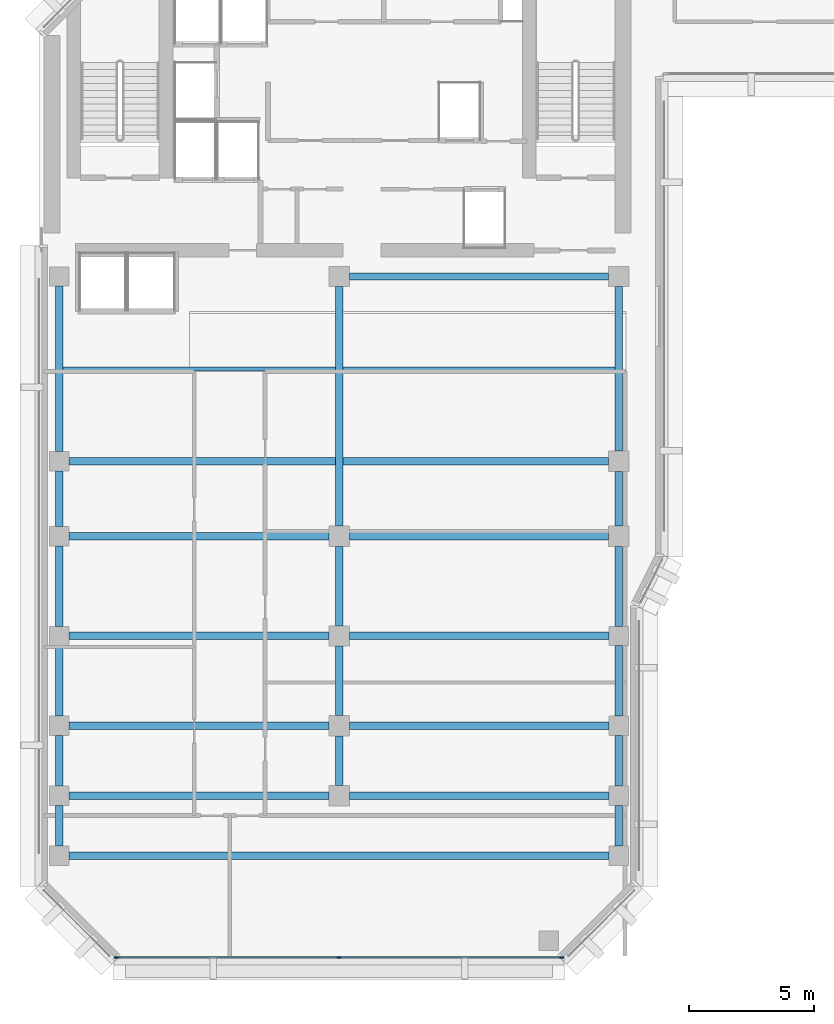
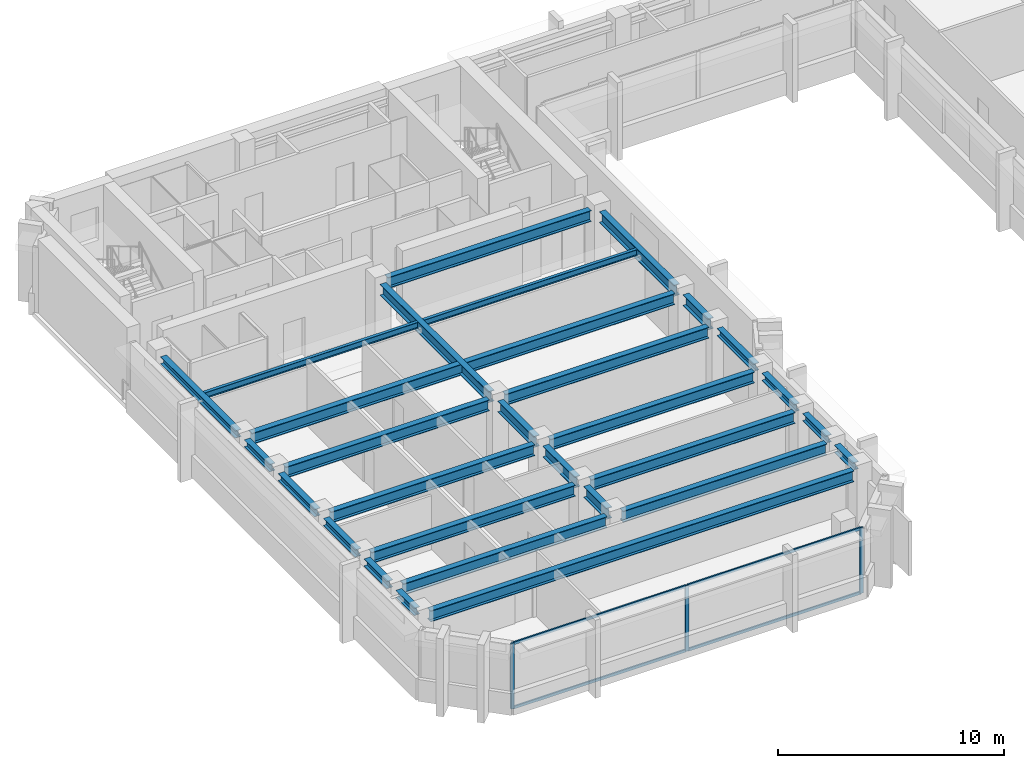
# One storey, part 2 of 11: 29 beams, 7 members, 1 element without a shape of its own.
"""IFC4 building model written with IfcOpenShell, lengths in metres."""

from ifc_helpers import new_model, si_unit, direction, frame, origin, origin_2d, place, context, subcontext, project, spatial, rectangle, i_section, extrude, material, layer, layer_set, material_profile, profile_set, type_object, element, aggregate, save


model = new_model("IFC4")

# Units and contexts
model_context = context("Model", 3, precision=1e-05, world=origin(), true_north=direction((0.0, 1.0)))
body_context = subcontext(model_context, "Body", "Model", "MODEL_VIEW")
ifc_project = project(units=[si_unit("LENGTHUNIT", "METRE"), si_unit("AREAUNIT", "SQUARE_METRE"), si_unit("VOLUMEUNIT", "CUBIC_METRE"), si_unit("PLANEANGLEUNIT", "RADIAN"), si_unit("MASSUNIT", "GRAM", prefix="KILO")], contexts=[model_context])

# Site, building, storey
site_placement = place(None, origin())
site = spatial("IfcSite", under=ifc_project, at=site_placement, CompositionType="ELEMENT")
building_placement = place(site_placement, origin())
building = spatial("IfcBuilding", under=site, at=building_placement, Name="Kefirva Bronze Tower", CompositionType="ELEMENT")
storey_placement = place(building_placement, frame((0.0, 0.0, 247.5)))
storey = spatial("IfcBuildingStorey", under=building, at=storey_placement, Name="L60", CompositionType="ELEMENT", Elevation=247.5)

# Curtain wall, members
ifc_material_1 = material(Name="Bronze anodised aluminium", Category="aluminium")
ifc_layer = layer(ifc_material_1, 0.179931640625, Name="Bronze anodised aluminium")
ifc_layer_set = layer_set([ifc_layer], Name="Bronze anodised aluminium")
curtain_wall_type = type_object("IfcCurtainWallType", Name="Unitised Bronze Ribbon Curtain Wall Zone 3", PredefinedType="USERDEFINED", material=ifc_layer_set)
curtain_wall_placement = place(storey_placement, origin())
curtain_wall = element("IfcCurtainWall", 1, at=curtain_wall_placement, inside=storey, type_object=curtain_wall_type, Name="L60 Curtain Wall 1", ObjectType="UNITISED CURTAIN WALL", PredefinedType="USERDEFINED")
ifc_material_profile_1 = material_profile(ifc_material_1, rectangle(XDim=0.074951171875, YDim=0.179931640625, at=origin_2d()), Name="ALU 75x180")
ifc_profile_set_1 = profile_set([ifc_material_profile_1], Name="Bronze anodised aluminium")
member_type_1 = type_object("IfcMemberType", Name="Bronze Mullion 75x180", PredefinedType="MULLION", material=ifc_profile_set_1)
member_1_placement = place(storey_placement, frame((3.092529296875, 5.919921875, 0.0), z_axis=(0.0, 0.0, 1.0), x_axis=(0.0, 1.0, 0.0)))
member_1 = element("IfcMember", 2, at=member_1_placement, type_object=member_type_1, Name="CW-03 mullion 1", PredefinedType="MULLION", context=body_context, shape_type="SweptSolid", body=[
    extrude(rectangle(XDim=0.074951171875, YDim=0.179931640625, at=origin_2d()), origin(), (0.0, 0.0, 1.0), 3.5400390625),
])
member_2_placement = place(storey_placement, frame((12.0, 5.919921875, 0.0), z_axis=(0.0, 0.0, 1.0), x_axis=(0.0, 1.0, 0.0)))
member_2 = element("IfcMember", 3, at=member_2_placement, type_object=member_type_1, Name="CW-03 mullion 2", PredefinedType="MULLION", context=body_context, shape_type="SweptSolid", body=[
    extrude(rectangle(XDim=0.074951171875, YDim=0.179931640625, at=origin_2d()), origin(), (0.0, 0.0, 1.0), 3.5400390625),
])
member_3_placement = place(storey_placement, frame((20.907470703125, 5.919921875, 0.0), z_axis=(0.0, 0.0, 1.0), x_axis=(0.0, 1.0, 0.0)))
member_3 = element("IfcMember", 4, at=member_3_placement, type_object=member_type_1, Name="CW-03 mullion 3", PredefinedType="MULLION", context=body_context, shape_type="SweptSolid", body=[
    extrude(rectangle(XDim=0.074951171875, YDim=0.179931640625, at=origin_2d()), origin(), (0.0, 0.0, 1.0), 3.5400390625),
])
ifc_material_profile_2 = material_profile(ifc_material_1, rectangle(XDim=0.074951171875, YDim=0.14990234375, at=origin_2d()), Name="ALU 75x150")
ifc_profile_set_2 = profile_set([ifc_material_profile_2], Name="Bronze anodised aluminium")
member_type_2 = type_object("IfcMemberType", Name="Bronze Transom 75x150", PredefinedType="USERDEFINED", material=ifc_profile_set_2)
member_4_placement = place(storey_placement, frame((3.1298828125, 5.919921875, 0.03759765625), z_axis=(1.0, 0.0, 0.0), x_axis=(0.0, 1.0, 0.0)))
member_4 = element("IfcMember", 5, at=member_4_placement, type_object=member_type_2, Name="CW-03 transom 1.1", ObjectType="TRANSOM", PredefinedType="USERDEFINED", context=body_context, shape_type="SweptSolid", body=[
    extrude(rectangle(XDim=0.074951171875, YDim=0.14990234375, at=origin_2d()), origin(), (0.0, 0.0, 1.0), 8.83251953125),
])
member_5_placement = place(storey_placement, frame((3.1298828125, 5.919921875, 3.50244140625), z_axis=(1.0, 0.0, 0.0), x_axis=(0.0, 1.0, 0.0)))
member_5 = element("IfcMember", 6, at=member_5_placement, type_object=member_type_2, Name="CW-03 transom 1.2", ObjectType="TRANSOM", PredefinedType="USERDEFINED", context=body_context, shape_type="SweptSolid", body=[
    extrude(rectangle(XDim=0.074951171875, YDim=0.14990234375, at=origin_2d()), origin(), (0.0, 0.0, 1.0), 8.83251953125),
])
member_6_placement = place(storey_placement, frame((12.03759765625, 5.919921875, 0.03759765625), z_axis=(1.0, 0.0, 0.0), x_axis=(0.0, 1.0, 0.0)))
member_6 = element("IfcMember", 7, at=member_6_placement, type_object=member_type_2, Name="CW-03 transom 2.1", ObjectType="TRANSOM", PredefinedType="USERDEFINED", context=body_context, shape_type="SweptSolid", body=[
    extrude(rectangle(XDim=0.074951171875, YDim=0.14990234375, at=origin_2d()), origin(), (0.0, 0.0, 1.0), 8.83251953125),
])
member_7_placement = place(storey_placement, frame((12.03759765625, 5.919921875, 3.50244140625), z_axis=(1.0, 0.0, 0.0), x_axis=(0.0, 1.0, 0.0)))
member_7 = element("IfcMember", 8, at=member_7_placement, type_object=member_type_2, Name="CW-03 transom 2.2", ObjectType="TRANSOM", PredefinedType="USERDEFINED", context=body_context, shape_type="SweptSolid", body=[
    extrude(rectangle(XDim=0.074951171875, YDim=0.14990234375, at=origin_2d()), origin(), (0.0, 0.0, 1.0), 8.83251953125),
])
aggregate(curtain_wall, [member_1, member_2, member_3, member_4, member_5, member_6, member_7])

# Beams
ifc_material_2 = material(Name="Steel S355", Category="steel")
ifc_material_profile_3 = material_profile(ifc_material_2, i_section(OverallWidth=0.159912109375, OverallDepth=0.330078125, WebThickness=0.007568359375, FlangeThickness=0.011474609375, at=origin_2d()), Name="IPE 330")
ifc_profile_set_3 = profile_set([ifc_material_profile_3], Name="Steel S355")
beam_type_1 = type_object("IfcBeamType", Name="Steel Floor Joist IPE 330", PredefinedType="JOIST", material=ifc_profile_set_3)
for number, where, z_axis, x_axis, name in (
    (9, (0.949951171875, 29.489990234375, 3.375), (1.0, 0.0, 0.0), (0.0, 1.0, 0.0), "L60 JST-L60-0-294"),
    (10, (12.14990234375, 29.5, 3.375), (1.0, 0.0, 0.0), (0.0, 1.0, 0.0), "L60 JST-L60-12-295"),
):
    element("IfcBeam", number, at=place(storey_placement, frame(where, z_axis=z_axis, x_axis=x_axis)), inside=storey, type_object=beam_type_1, Name=name, PredefinedType="JOIST", context=body_context, shape_type="SweptSolid", body=[
        extrude(i_section(OverallWidth=0.159912109375, OverallDepth=0.330078125, WebThickness=0.007568359375, FlangeThickness=0.011474609375, at=origin_2d()), origin(), (0.0, 0.0, 1.0), 10.900146484375),
    ])
ifc_material_profile_4 = material_profile(ifc_material_2, i_section(OverallWidth=0.300048828125, OverallDepth=0.60009765625, WebThickness=0.015380859375, FlangeThickness=0.030029296875, at=origin_2d()), Name="HEB 600")
ifc_profile_set_4 = profile_set([ifc_material_profile_4], Name="Steel S355")
beam_type_2 = type_object("IfcBeamType", Name="Steel Girder HEB 600", PredefinedType="USERDEFINED", material=ifc_profile_set_4)
beam_1_placement = place(storey_placement, frame((1.18994140625, 10.0, 3.239990234375), z_axis=(1.0, 0.0, 0.0), x_axis=(0.0, 1.0, 0.0)))
element("IfcBeam", 11, at=beam_1_placement, inside=storey, type_object=beam_type_2, Name="L60 BM-L60-EW-0-100", ObjectType="GIRDER", PredefinedType="USERDEFINED", context=body_context, shape_type="SweptSolid", body=[
    extrude(i_section(OverallWidth=0.300048828125, OverallDepth=0.60009765625, WebThickness=0.015380859375, FlangeThickness=0.030029296875, at=origin_2d()), origin(), (0.0, 0.0, 1.0), 21.6201171875),
])
for number, where, z_axis, x_axis, name in (
    (12, (1.18994140625, 12.39990234375, 3.239990234375), (1.0, 0.0, 0.0), (0.0, 1.0, 0.0), "L60 BM-L60-EW-0-124"),
    (13, (12.409912109375, 12.39990234375, 3.239990234375), (1.0, 0.0, 0.0), (0.0, 1.0, 0.0), "L60 BM-L60-EW-12-124"),
    (14, (1.18994140625, 15.199951171875, 3.239990234375), (1.0, 0.0, 0.0), (0.0, 1.0, 0.0), "L60 BM-L60-EW-0-152"),
    (15, (12.409912109375, 15.199951171875, 3.239990234375), (1.0, 0.0, 0.0), (0.0, 1.0, 0.0), "L60 BM-L60-EW-12-152"),
    (16, (1.18994140625, 18.800048828125, 3.239990234375), (1.0, 0.0, 0.0), (0.0, 1.0, 0.0), "L60 BM-L60-EW-0-188"),
    (17, (12.409912109375, 18.800048828125, 3.239990234375), (1.0, 0.0, 0.0), (0.0, 1.0, 0.0), "L60 BM-L60-EW-12-188"),
    (18, (1.18994140625, 22.800048828125, 3.239990234375), (1.0, 0.0, 0.0), (0.0, 1.0, 0.0), "L60 BM-L60-EW-0-228"),
):
    element("IfcBeam", number, at=place(storey_placement, frame(where, z_axis=z_axis, x_axis=x_axis)), inside=storey, type_object=beam_type_2, Name=name, ObjectType="GIRDER", PredefinedType="USERDEFINED", context=body_context, shape_type="SweptSolid", body=[
        extrude(i_section(OverallWidth=0.300048828125, OverallDepth=0.60009765625, WebThickness=0.015380859375, FlangeThickness=0.030029296875, at=origin_2d()), origin(), (0.0, 0.0, 1.0), 10.400146484375),
    ])
beam_2_placement = place(storey_placement, frame((12.409912109375, 22.800048828125, 3.239990234375), z_axis=(1.0, 0.0, 0.0), x_axis=(0.0, 1.0, 0.0)))
element("IfcBeam", 19, at=beam_2_placement, inside=storey, type_object=beam_type_2, Name="L60 BM-L60-EW-12-228", ObjectType="GIRDER", PredefinedType="USERDEFINED", context=body_context, shape_type="SweptSolid", body=[
    extrude(i_section(OverallWidth=0.300048828125, OverallDepth=0.60009765625, WebThickness=0.015380859375, FlangeThickness=0.030029296875, at=origin_2d()), origin(), (0.0, 0.0, 1.0), 10.380126953125),
])
beam_3_placement = place(storey_placement, frame((1.18994140625, 25.800048828125, 3.239990234375), z_axis=(1.0, 0.0, 0.0), x_axis=(0.0, 1.0, 0.0)))
element("IfcBeam", 20, at=beam_3_placement, inside=storey, type_object=beam_type_2, Name="L60 BM-L60-EW-0-258", ObjectType="GIRDER", PredefinedType="USERDEFINED", context=body_context, shape_type="SweptSolid", body=[
    extrude(i_section(OverallWidth=0.300048828125, OverallDepth=0.60009765625, WebThickness=0.015380859375, FlangeThickness=0.030029296875, at=origin_2d()), origin(), (0.0, 0.0, 1.0), 21.60009765625),
])
beam_4_placement = place(storey_placement, frame((12.409912109375, 33.199951171875, 3.239990234375), z_axis=(1.0, 0.0, 0.0), x_axis=(0.0, 1.0, 0.0)))
element("IfcBeam", 21, at=beam_4_placement, inside=storey, type_object=beam_type_2, Name="L60 BM-L60-EW-12-332", ObjectType="GIRDER", PredefinedType="USERDEFINED", context=body_context, shape_type="SweptSolid", body=[
    extrude(i_section(OverallWidth=0.300048828125, OverallDepth=0.60009765625, WebThickness=0.015380859375, FlangeThickness=0.030029296875, at=origin_2d()), origin(), (0.0, 0.0, 1.0), 10.380126953125),
])
beam_5_placement = place(storey_placement, frame((12.0, 12.81005859375, 3.239990234375), z_axis=(0.0, 1.0, 0.0), x_axis=(-1.0, 0.0, 0.0)))
element("IfcBeam", 22, at=beam_5_placement, inside=storey, type_object=beam_type_2, Name="L60 BM-L60-NS-120-12", ObjectType="GIRDER", PredefinedType="USERDEFINED", context=body_context, shape_type="SweptSolid", body=[
    extrude(i_section(OverallWidth=0.300048828125, OverallDepth=0.60009765625, WebThickness=0.015380859375, FlangeThickness=0.030029296875, at=origin_2d()), origin(), (0.0, 0.0, 1.0), 1.97998046875),
])
beam_6_placement = place(storey_placement, frame((12.0, 15.610107421875, 3.239990234375), z_axis=(0.0, 1.0, 0.0), x_axis=(-1.0, 0.0, 0.0)))
element("IfcBeam", 23, at=beam_6_placement, inside=storey, type_object=beam_type_2, Name="L60 BM-L60-NS-120-15", ObjectType="GIRDER", PredefinedType="USERDEFINED", context=body_context, shape_type="SweptSolid", body=[
    extrude(i_section(OverallWidth=0.300048828125, OverallDepth=0.60009765625, WebThickness=0.015380859375, FlangeThickness=0.030029296875, at=origin_2d()), origin(), (0.0, 0.0, 1.0), 2.77978515625),
])
beam_7_placement = place(storey_placement, frame((12.0, 19.2099609375, 3.239990234375), z_axis=(0.0, 1.0, 0.0), x_axis=(-1.0, 0.0, 0.0)))
element("IfcBeam", 24, at=beam_7_placement, inside=storey, type_object=beam_type_2, Name="L60 BM-L60-NS-120-18", ObjectType="GIRDER", PredefinedType="USERDEFINED", context=body_context, shape_type="SweptSolid", body=[
    extrude(i_section(OverallWidth=0.300048828125, OverallDepth=0.60009765625, WebThickness=0.015380859375, FlangeThickness=0.030029296875, at=origin_2d()), origin(), (0.0, 0.0, 1.0), 3.179931640625),
])
beam_8_placement = place(storey_placement, frame((12.0, 23.2099609375, 3.239990234375), z_axis=(0.0, 1.0, 0.0), x_axis=(-1.0, 0.0, 0.0)))
element("IfcBeam", 25, at=beam_8_placement, inside=storey, type_object=beam_type_2, Name="L60 BM-L60-NS-120-22", ObjectType="GIRDER", PredefinedType="USERDEFINED", context=body_context, shape_type="SweptSolid", body=[
    extrude(i_section(OverallWidth=0.300048828125, OverallDepth=0.60009765625, WebThickness=0.015380859375, FlangeThickness=0.030029296875, at=origin_2d()), origin(), (0.0, 0.0, 1.0), 9.580078125),
])
beam_9_placement = place(storey_placement, frame((23.199951171875, 23.2099609375, 3.239990234375), z_axis=(0.0, 1.0, 0.0), x_axis=(-1.0, 0.0, 0.0)))
element("IfcBeam", 26, at=beam_9_placement, inside=storey, type_object=beam_type_2, Name="L60 BM-L60-NS-232-22", ObjectType="GIRDER", PredefinedType="USERDEFINED", context=body_context, shape_type="SweptSolid", body=[
    extrude(i_section(OverallWidth=0.300048828125, OverallDepth=0.60009765625, WebThickness=0.015380859375, FlangeThickness=0.030029296875, at=origin_2d()), origin(), (0.0, 0.0, 1.0), 2.179931640625),
])
beam_10_placement = place(storey_placement, frame((23.199951171875, 26.2099609375, 3.239990234375), z_axis=(0.0, 1.0, 0.0), x_axis=(-1.0, 0.0, 0.0)))
element("IfcBeam", 27, at=beam_10_placement, inside=storey, type_object=beam_type_2, Name="L60 BM-L60-NS-232-25", ObjectType="GIRDER", PredefinedType="USERDEFINED", context=body_context, shape_type="SweptSolid", body=[
    extrude(i_section(OverallWidth=0.300048828125, OverallDepth=0.60009765625, WebThickness=0.015380859375, FlangeThickness=0.030029296875, at=origin_2d()), origin(), (0.0, 0.0, 1.0), 6.580078125),
])
ifc_material_profile_5 = material_profile(ifc_material_2, i_section(OverallWidth=0.300048828125, OverallDepth=0.39990234375, WebThickness=0.013427734375, FlangeThickness=0.02392578125, at=origin_2d()), Name="HEB 400")
ifc_profile_set_5 = profile_set([ifc_material_profile_5], Name="Steel S355")
beam_type_3 = type_object("IfcBeamType", Name="Steel Spandrel HEB 400 Ext", PredefinedType="SPANDREL", material=ifc_profile_set_5)
beam_11_placement = place(storey_placement, frame((0.800048828125, 10.389892578125, 3.340087890625), z_axis=(0.0, 1.0, 0.0), x_axis=(-1.0, 0.0, 0.0)))
element("IfcBeam", 28, at=beam_11_placement, inside=storey, type_object=beam_type_3, Name="L60 BM-L60-NS-8-10", PredefinedType="SPANDREL", context=body_context, shape_type="SweptSolid", body=[
    extrude(i_section(OverallWidth=0.300048828125, OverallDepth=0.39990234375, WebThickness=0.013427734375, FlangeThickness=0.02392578125, at=origin_2d()), origin(), (0.0, 0.0, 1.0), 1.6201171875),
])
beam_12_placement = place(storey_placement, frame((0.800048828125, 12.7900390625, 3.340087890625), z_axis=(0.0, 1.0, 0.0), x_axis=(-1.0, 0.0, 0.0)))
element("IfcBeam", 29, at=beam_12_placement, inside=storey, type_object=beam_type_3, Name="L60 BM-L60-NS-8-12", PredefinedType="SPANDREL", context=body_context, shape_type="SweptSolid", body=[
    extrude(i_section(OverallWidth=0.300048828125, OverallDepth=0.39990234375, WebThickness=0.013427734375, FlangeThickness=0.02392578125, at=origin_2d()), origin(), (0.0, 0.0, 1.0), 2.02001953125),
])
beam_13_placement = place(storey_placement, frame((0.800048828125, 15.590087890625, 3.340087890625), z_axis=(0.0, 1.0, 0.0), x_axis=(-1.0, 0.0, 0.0)))
element("IfcBeam", 30, at=beam_13_placement, inside=storey, type_object=beam_type_3, Name="L60 BM-L60-NS-8-15", PredefinedType="SPANDREL", context=body_context, shape_type="SweptSolid", body=[
    extrude(i_section(OverallWidth=0.300048828125, OverallDepth=0.39990234375, WebThickness=0.013427734375, FlangeThickness=0.02392578125, at=origin_2d()), origin(), (0.0, 0.0, 1.0), 2.81982421875),
])
beam_14_placement = place(storey_placement, frame((0.800048828125, 19.18994140625, 3.340087890625), z_axis=(0.0, 1.0, 0.0), x_axis=(-1.0, 0.0, 0.0)))
element("IfcBeam", 31, at=beam_14_placement, inside=storey, type_object=beam_type_3, Name="L60 BM-L60-NS-8-18", PredefinedType="SPANDREL", context=body_context, shape_type="SweptSolid", body=[
    extrude(i_section(OverallWidth=0.300048828125, OverallDepth=0.39990234375, WebThickness=0.013427734375, FlangeThickness=0.02392578125, at=origin_2d()), origin(), (0.0, 0.0, 1.0), 3.219970703125),
])
beam_15_placement = place(storey_placement, frame((0.800048828125, 23.18994140625, 3.340087890625), z_axis=(0.0, 1.0, 0.0), x_axis=(-1.0, 0.0, 0.0)))
element("IfcBeam", 32, at=beam_15_placement, inside=storey, type_object=beam_type_3, Name="L60 BM-L60-NS-8-22", PredefinedType="SPANDREL", context=body_context, shape_type="SweptSolid", body=[
    extrude(i_section(OverallWidth=0.300048828125, OverallDepth=0.39990234375, WebThickness=0.013427734375, FlangeThickness=0.02392578125, at=origin_2d()), origin(), (0.0, 0.0, 1.0), 2.219970703125),
])
beam_16_placement = place(storey_placement, frame((0.800048828125, 26.18994140625, 3.340087890625), z_axis=(0.0, 1.0, 0.0), x_axis=(-1.0, 0.0, 0.0)))
element("IfcBeam", 33, at=beam_16_placement, inside=storey, type_object=beam_type_3, Name="L60 BM-L60-NS-8-25", PredefinedType="SPANDREL", context=body_context, shape_type="SweptSolid", body=[
    extrude(i_section(OverallWidth=0.300048828125, OverallDepth=0.39990234375, WebThickness=0.013427734375, FlangeThickness=0.02392578125, at=origin_2d()), origin(), (0.0, 0.0, 1.0), 6.6201171875),
])
beam_17_placement = place(storey_placement, frame((23.199951171875, 10.389892578125, 3.340087890625), z_axis=(0.0, 1.0, 0.0), x_axis=(-1.0, 0.0, 0.0)))
element("IfcBeam", 34, at=beam_17_placement, inside=storey, type_object=beam_type_3, Name="L60 BM-L60-NS-232-10", PredefinedType="SPANDREL", context=body_context, shape_type="SweptSolid", body=[
    extrude(i_section(OverallWidth=0.300048828125, OverallDepth=0.39990234375, WebThickness=0.013427734375, FlangeThickness=0.02392578125, at=origin_2d()), origin(), (0.0, 0.0, 1.0), 1.6201171875),
])
beam_18_placement = place(storey_placement, frame((23.199951171875, 12.7900390625, 3.340087890625), z_axis=(0.0, 1.0, 0.0), x_axis=(-1.0, 0.0, 0.0)))
element("IfcBeam", 35, at=beam_18_placement, inside=storey, type_object=beam_type_3, Name="L60 BM-L60-NS-232-12", PredefinedType="SPANDREL", context=body_context, shape_type="SweptSolid", body=[
    extrude(i_section(OverallWidth=0.300048828125, OverallDepth=0.39990234375, WebThickness=0.013427734375, FlangeThickness=0.02392578125, at=origin_2d()), origin(), (0.0, 0.0, 1.0), 2.02001953125),
])
beam_19_placement = place(storey_placement, frame((23.199951171875, 15.590087890625, 3.340087890625), z_axis=(0.0, 1.0, 0.0), x_axis=(-1.0, 0.0, 0.0)))
element("IfcBeam", 36, at=beam_19_placement, inside=storey, type_object=beam_type_3, Name="L60 BM-L60-NS-232-15", PredefinedType="SPANDREL", context=body_context, shape_type="SweptSolid", body=[
    extrude(i_section(OverallWidth=0.300048828125, OverallDepth=0.39990234375, WebThickness=0.013427734375, FlangeThickness=0.02392578125, at=origin_2d()), origin(), (0.0, 0.0, 1.0), 2.81982421875),
])
beam_20_placement = place(storey_placement, frame((23.199951171875, 19.18994140625, 3.340087890625), z_axis=(0.0, 1.0, 0.0), x_axis=(-1.0, 0.0, 0.0)))
element("IfcBeam", 37, at=beam_20_placement, inside=storey, type_object=beam_type_3, Name="L60 BM-L60-NS-232-18", PredefinedType="SPANDREL", context=body_context, shape_type="SweptSolid", body=[
    extrude(i_section(OverallWidth=0.300048828125, OverallDepth=0.39990234375, WebThickness=0.013427734375, FlangeThickness=0.02392578125, at=origin_2d()), origin(), (0.0, 0.0, 1.0), 3.199951171875),
])

save(model, "model.ifc")
